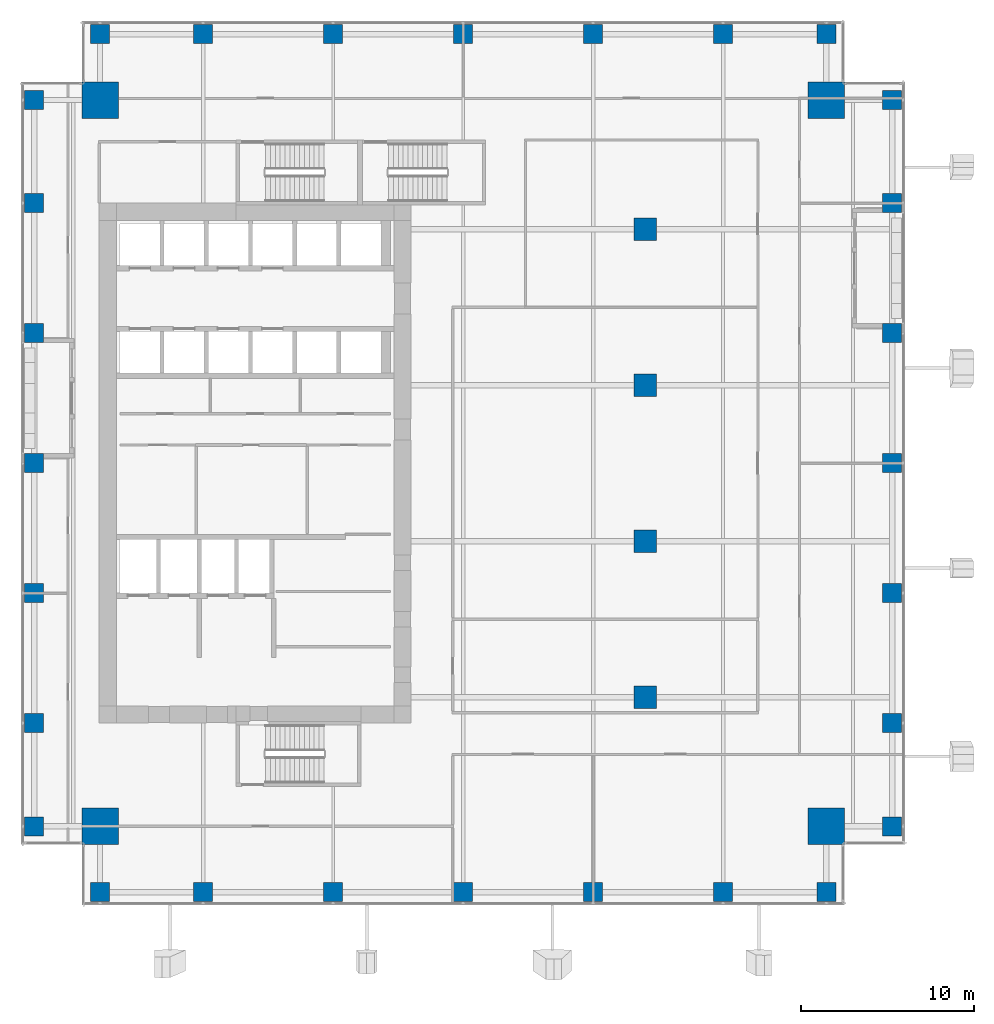
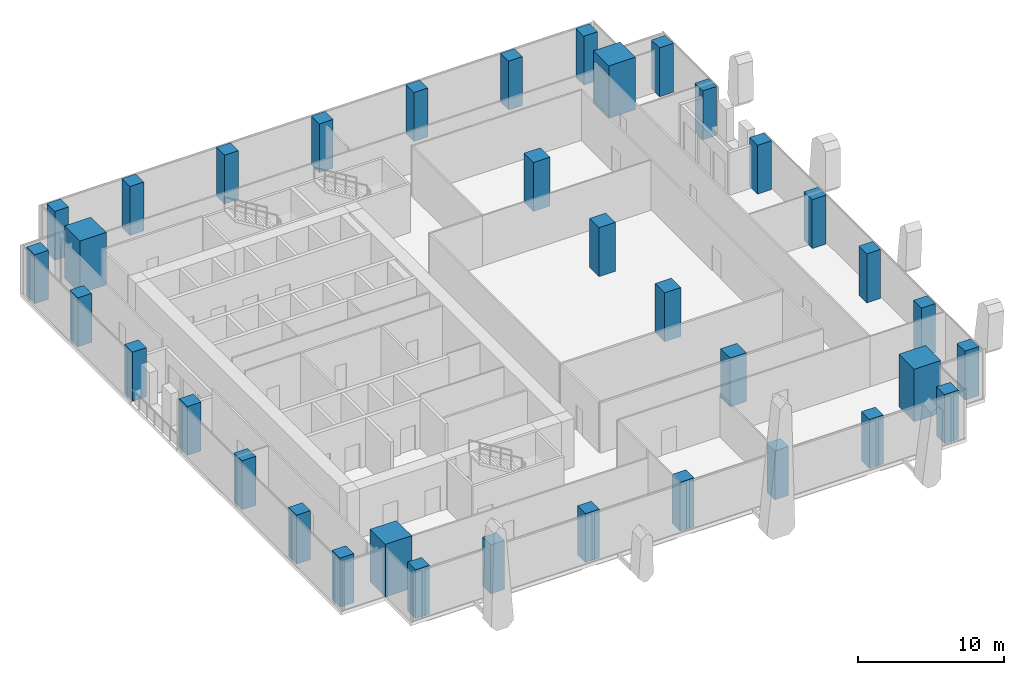
# One storey, part 1 of 35: 36 columns.
"""IFC4 building model written with IfcOpenShell, lengths in metres."""

from ifc_helpers import new_model, si_unit, direction, frame, origin, origin_2d, place, context, subcontext, project, spatial, rectangle, extrude, source, transform, mapped, material, material_profile, profile_set, type_object, element, save


model = new_model("IFC4")

# Units and contexts
model_context = context("Model", 3, precision=1e-05, world=origin(), true_north=direction((0.0, 1.0)))
body_context = subcontext(model_context, "Body", "Model", "MODEL_VIEW")
ifc_project = project(units=[si_unit("LENGTHUNIT", "METRE"), si_unit("AREAUNIT", "SQUARE_METRE"), si_unit("VOLUMEUNIT", "CUBIC_METRE"), si_unit("PLANEANGLEUNIT", "RADIAN"), si_unit("MASSUNIT", "GRAM", prefix="KILO")], contexts=[model_context])

# Site, building, storey
site_placement = place(None, origin())
site = spatial("IfcSite", under=ifc_project, at=site_placement, CompositionType="ELEMENT")
building_placement = place(site_placement, origin())
building = spatial("IfcBuilding", under=site, at=building_placement, Name="Khomas Fold Tower", CompositionType="ELEMENT")
storey_placement = place(building_placement, frame((0.0, 0.0, 136.699951171875)))
storey = spatial("IfcBuildingStorey", under=building, at=storey_placement, Name="L29", CompositionType="ELEMENT", Elevation=136.699951171875)

# Columns
ifc_material_1 = material(Name="Concrete C50/60", Category="concrete")
ifc_material_profile_1 = material_profile(ifc_material_1, rectangle(XDim=1.10009765625, YDim=1.10009765625, at=origin_2d()), Name="RC 1100x1100")
ifc_profile_set_1 = profile_set([ifc_material_profile_1], Name="Concrete C50/60")
column_type_1 = type_object("IfcColumnType", Name="RC 1100x1100 column", PredefinedType="COLUMN", material=ifc_profile_set_1)
shared_shape_1 = source(origin(), body_context, "Body", "SweptSolid", [
    extrude(rectangle(XDim=1.10009765625, YDim=1.10009765625, at=origin_2d()), origin(), (0.0, 0.0, 1.0), 4.10009765625),
])
for number, where, z_axis, x_axis, name in (
    (1, (6.050048828125, 2.25, 0.0), (0.0, 0.0, 1.0), (1.0, 0.0, 0.0), "C-3-SF2"),
    (2, (12.0, 2.25, 0.0), (0.0, 0.0, 1.0), (1.0, 0.0, 0.0), "C-6-SF2"),
    (3, (19.5, 2.25, 0.0), (0.0, 0.0, 1.0), (1.0, 0.0, 0.0), "C-8-SF2"),
    (4, (27.0, 2.25, 0.0), (0.0, 0.0, 1.0), (1.0, 0.0, 0.0), "C-9-SF2"),
    (5, (34.5, 2.25, 0.0), (0.0, 0.0, 1.0), (1.0, 0.0, 0.0), "C-10-SF2"),
    (6, (42.0, 2.25, 0.0), (0.0, 0.0, 1.0), (1.0, 0.0, 0.0), "C-13-SF2"),
    (7, (47.949951171875, 2.25, 0.0), (0.0, 0.0, 1.0), (1.0, 0.0, 0.0), "C-16-SF2"),
    (8, (51.75, 6.050048828125, 0.0), (0.0, 0.0, 1.0), (1.0, 0.0, 0.0), "C-E2-C"),
    (9, (51.75, 12.0, 0.0), (0.0, 0.0, 1.0), (1.0, 0.0, 0.0), "C-E2-F"),
    (10, (51.75, 19.5, 0.0), (0.0, 0.0, 1.0), (1.0, 0.0, 0.0), "C-E2-J"),
    (11, (51.75, 27.0, 0.0), (0.0, 0.0, 1.0), (1.0, 0.0, 0.0), "C-E2-L"),
    (12, (51.75, 34.5, 0.0), (0.0, 0.0, 1.0), (1.0, 0.0, 0.0), "C-E2-N"),
    (13, (51.75, 42.0, 0.0), (0.0, 0.0, 1.0), (1.0, 0.0, 0.0), "C-E2-R"),
    (14, (51.75, 47.949951171875, 0.0), (0.0, 0.0, 1.0), (1.0, 0.0, 0.0), "C-E2-U"),
    (15, (6.050048828125, 51.75, 0.0), (0.0, 0.0, 1.0), (1.0, 0.0, 0.0), "C-3-NF2"),
    (16, (12.0, 51.75, 0.0), (0.0, 0.0, 1.0), (1.0, 0.0, 0.0), "C-6-NF2"),
    (17, (19.5, 51.75, 0.0), (0.0, 0.0, 1.0), (1.0, 0.0, 0.0), "C-8-NF2"),
    (18, (27.0, 51.75, 0.0), (0.0, 0.0, 1.0), (1.0, 0.0, 0.0), "C-9-NF2"),
    (19, (34.5, 51.75, 0.0), (0.0, 0.0, 1.0), (1.0, 0.0, 0.0), "C-10-NF2"),
    (20, (42.0, 51.75, 0.0), (0.0, 0.0, 1.0), (1.0, 0.0, 0.0), "C-13-NF2"),
    (21, (47.949951171875, 51.75, 0.0), (0.0, 0.0, 1.0), (1.0, 0.0, 0.0), "C-16-NF2"),
    (22, (2.25, 6.050048828125, 0.0), (0.0, 0.0, 1.0), (1.0, 0.0, 0.0), "C-W2-C"),
    (23, (2.25, 12.0, 0.0), (0.0, 0.0, 1.0), (1.0, 0.0, 0.0), "C-W2-F"),
    (24, (2.25, 19.5, 0.0), (0.0, 0.0, 1.0), (1.0, 0.0, 0.0), "C-W2-J"),
    (25, (2.25, 27.0, 0.0), (0.0, 0.0, 1.0), (1.0, 0.0, 0.0), "C-W2-L"),
    (26, (2.25, 34.5, 0.0), (0.0, 0.0, 1.0), (1.0, 0.0, 0.0), "C-W2-N"),
    (27, (2.25, 42.0, 0.0), (0.0, 0.0, 1.0), (1.0, 0.0, 0.0), "C-W2-R"),
    (28, (2.25, 47.949951171875, 0.0), (0.0, 0.0, 1.0), (1.0, 0.0, 0.0), "C-W2-U"),
):
    element("IfcColumn", number, at=place(storey_placement, frame(where, z_axis=z_axis, x_axis=x_axis)), inside=storey, type_object=column_type_1, Name=name, PredefinedType="COLUMN", context=body_context, shape_type="MappedRepresentation", body=[
        mapped(shared_shape_1, transform((0.0, 0.0, 0.0))),
    ])
ifc_material_2 = material(Name="Concrete C60/75", Category="concrete")
ifc_material_profile_2 = material_profile(ifc_material_2, rectangle(XDim=1.300048828125, YDim=1.300048828125, at=origin_2d()), Name="RC 1300x1300")
ifc_profile_set_2 = profile_set([ifc_material_profile_2], Name="Concrete C60/75")
column_type_2 = type_object("IfcColumnType", Name="RC 1300x1300 column", PredefinedType="COLUMN", material=ifc_profile_set_2)
shared_shape_2 = source(origin(), body_context, "Body", "SweptSolid", [
    extrude(rectangle(XDim=1.300048828125, YDim=1.300048828125, at=origin_2d()), origin(), (0.0, 0.0, 1.0), 4.10009765625),
])
for number, where, z_axis, x_axis, name in (
    (29, (37.5, 13.5, 0.0), (0.0, 0.0, 1.0), (1.0, 0.0, 0.0), "C-11-H"),
    (30, (37.5, 22.5, 0.0), (0.0, 0.0, 1.0), (1.0, 0.0, 0.0), "C-11-K"),
    (31, (37.5, 31.5, 0.0), (0.0, 0.0, 1.0), (1.0, 0.0, 0.0), "C-11-M"),
    (32, (37.5, 40.5, 0.0), (0.0, 0.0, 1.0), (1.0, 0.0, 0.0), "C-11-P"),
):
    element("IfcColumn", number, at=place(storey_placement, frame(where, z_axis=z_axis, x_axis=x_axis)), inside=storey, type_object=column_type_2, Name=name, PredefinedType="COLUMN", context=body_context, shape_type="MappedRepresentation", body=[
        mapped(shared_shape_2, transform((0.0, 0.0, 0.0))),
    ])
ifc_material_3 = material(Name="Concrete C70/85", Category="concrete")
ifc_material_profile_3 = material_profile(ifc_material_3, rectangle(XDim=2.10009765625, YDim=2.10009765625, at=origin_2d()), Name="RC 2100x2100")
ifc_profile_set_3 = profile_set([ifc_material_profile_3], Name="Concrete C70/85")
column_type_3 = type_object("IfcColumnType", Name="RC 2100x2100 column", PredefinedType="COLUMN", material=ifc_profile_set_3)
shared_shape_3 = source(origin(), body_context, "Body", "SweptSolid", [
    extrude(rectangle(XDim=2.10009765625, YDim=2.10009765625, at=origin_2d()), origin(), (0.0, 0.0, 1.0), 4.400146484375),
])
for number, where, z_axis, x_axis, name in (
    (33, (47.949951171875, 47.949951171875, 0.0), (0.0, 0.0, 1.0), (1.0, 0.0, 0.0), "CM-NE"),
    (34, (6.050048828125, 47.949951171875, 0.0), (0.0, 0.0, 1.0), (1.0, 0.0, 0.0), "CM-NW"),
    (35, (47.949951171875, 6.050048828125, 0.0), (0.0, 0.0, 1.0), (1.0, 0.0, 0.0), "CM-SE"),
    (36, (6.050048828125, 6.050048828125, 0.0), (0.0, 0.0, 1.0), (1.0, 0.0, 0.0), "CM-SW"),
):
    element("IfcColumn", number, at=place(storey_placement, frame(where, z_axis=z_axis, x_axis=x_axis)), inside=storey, type_object=column_type_3, Name=name, PredefinedType="COLUMN", context=body_context, shape_type="MappedRepresentation", body=[
        mapped(shared_shape_3, transform((0.0, 0.0, 0.0))),
    ])

save(model, "model.ifc")
